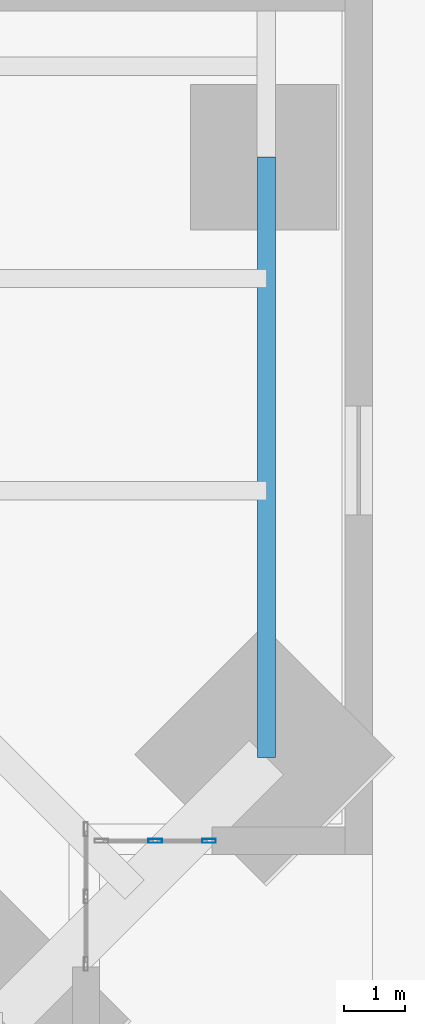
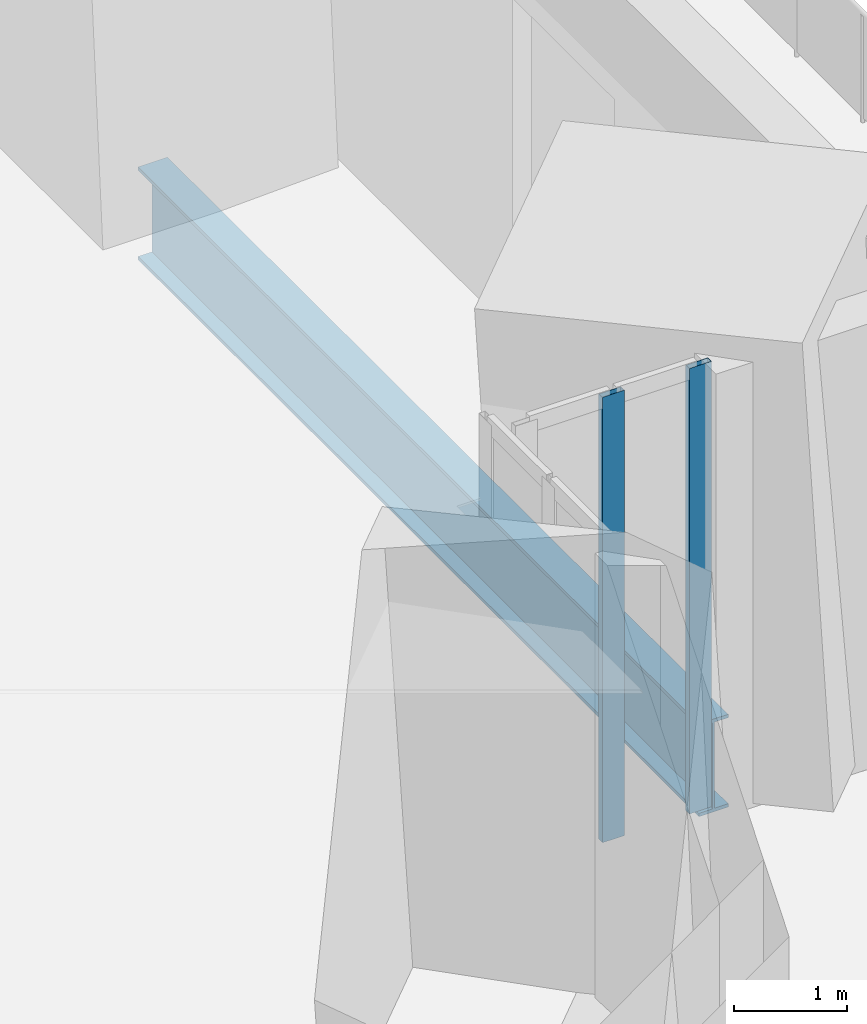
# One storey, part 9 of 26: 2 members, 1 beam, 1 element without a shape of its own.
"""IFC4 building model written with IfcOpenShell, lengths in metres."""

from ifc_helpers import new_model, si_unit, direction, frame, origin, origin_2d, place, context, subcontext, project, spatial, hollow_rectangle, i_section, extrude, material, material_profile, profile_set, type_object, element, aggregate, save


model = new_model("IFC4")

# Units and contexts
model_context = context("Model", 3, precision=1e-05, world=origin(), true_north=direction((0.0, 1.0)))
body_context = subcontext(model_context, "Body", "Model", "MODEL_VIEW")
ifc_project = project(units=[si_unit("LENGTHUNIT", "METRE"), si_unit("AREAUNIT", "SQUARE_METRE"), si_unit("VOLUMEUNIT", "CUBIC_METRE"), si_unit("PLANEANGLEUNIT", "RADIAN"), si_unit("MASSUNIT", "GRAM", prefix="KILO")], contexts=[model_context])

# Site, building, storey
site_placement = place(None, origin())
site = spatial("IfcSite", under=ifc_project, at=site_placement, CompositionType="ELEMENT")
building_placement = place(site_placement, origin())
building = spatial("IfcBuilding", under=site, at=building_placement, Name="Peilmerk Tower", CompositionType="ELEMENT")
storey_placement = place(building_placement, frame((0.0, 0.0, 16.0)))
storey = spatial("IfcBuildingStorey", under=building, at=storey_placement, Name="L03", CompositionType="ELEMENT", Elevation=16.0)

# Beam
ifc_material_1 = material(Name="Steel S355", Category="steel")
ifc_material_profile_1 = material_profile(ifc_material_1, i_section(OverallWidth=0.300048828125, OverallDepth=1.0, WebThickness=0.01904296875, FlangeThickness=0.035888671875, at=origin_2d()), Name="HEB 1000")
ifc_profile_set_1 = profile_set([ifc_material_profile_1], Name="Steel S355")
beam_type = type_object("IfcBeamType", Name="B13 HEB 1000 edge beam", PredefinedType="SPANDREL", material=ifc_profile_set_1)
beam_placement = place(storey_placement, frame((30.251708984375, -25.901611328125, -0.699951171875), z_axis=(0.0, 1.0, 0.0), x_axis=(-1.0, 0.0, 0.0)))
element("IfcBeam", 1, at=beam_placement, inside=storey, type_object=beam_type, Name="Edge beam L03", PredefinedType="SPANDREL", context=body_context, shape_type="SweptSolid", body=[
    extrude(i_section(OverallWidth=0.300048828125, OverallDepth=1.0, WebThickness=0.01904296875, FlangeThickness=0.035888671875, at=origin_2d()), origin(), (0.0, 0.0, 1.0), 9.901611328125),
])

# Curtain wall, members
ifc_material_2 = material(Name="Aluminium stick curtain wall", Category="aluminium")
curtain_wall_type = type_object("IfcCurtainWallType", Name="CW1 stick curtain wall, 1500 module", PredefinedType="NOTDEFINED", material=ifc_material_2)
curtain_wall_placement = place(storey_placement, origin())
curtain_wall = element("IfcCurtainWall", 2, at=curtain_wall_placement, inside=storey, type_object=curtain_wall_type, Name="Curtain wall CW1 SEB L03", PredefinedType="NOTDEFINED")
ifc_material_3 = material(Name="Aluminium EN AW-6063 T6", Category="aluminium")
ifc_material_profile_2 = material_profile(ifc_material_3, hollow_rectangle(XDim=0.06494140625, YDim=0.22509765625, WallThickness=0.00390625, at=origin_2d()), Name="AL 225x65x4")
ifc_profile_set_2 = profile_set([ifc_material_profile_2], Name="Aluminium EN AW-6063 T6")
member_type = type_object("IfcMemberType", Name="CW1-M AL 225x65x4 mullion", PredefinedType="MULLION", material=ifc_profile_set_2)
member_1_placement = place(storey_placement, frame((28.41943359375, -27.27490234375, 0.0), z_axis=(0.0, 0.0, 1.0), x_axis=(0.0, 1.0, 0.0)))
member_1 = element("IfcMember", 3, at=member_1_placement, type_object=member_type, Name="CW1 mullion 2", PredefinedType="MULLION", context=body_context, shape_type="SweptSolid", body=[
    extrude(hollow_rectangle(XDim=0.06494140625, YDim=0.22509765625, WallThickness=0.00390625, at=origin_2d()), origin(), (0.0, 0.0, 1.0), 4.800048828125),
])
member_2_placement = place(storey_placement, frame((29.30615234375, -27.27490234375, 0.0), z_axis=(0.0, 0.0, 1.0), x_axis=(0.0, 1.0, 0.0)))
member_2 = element("IfcMember", 4, at=member_2_placement, type_object=member_type, Name="CW1 mullion 3", PredefinedType="MULLION", context=body_context, shape_type="SweptSolid", body=[
    extrude(hollow_rectangle(XDim=0.06494140625, YDim=0.22509765625, WallThickness=0.00390625, at=origin_2d()), origin(), (0.0, 0.0, 1.0), 4.800048828125),
])
aggregate(curtain_wall, [member_1, member_2])

save(model, "model.ifc")
